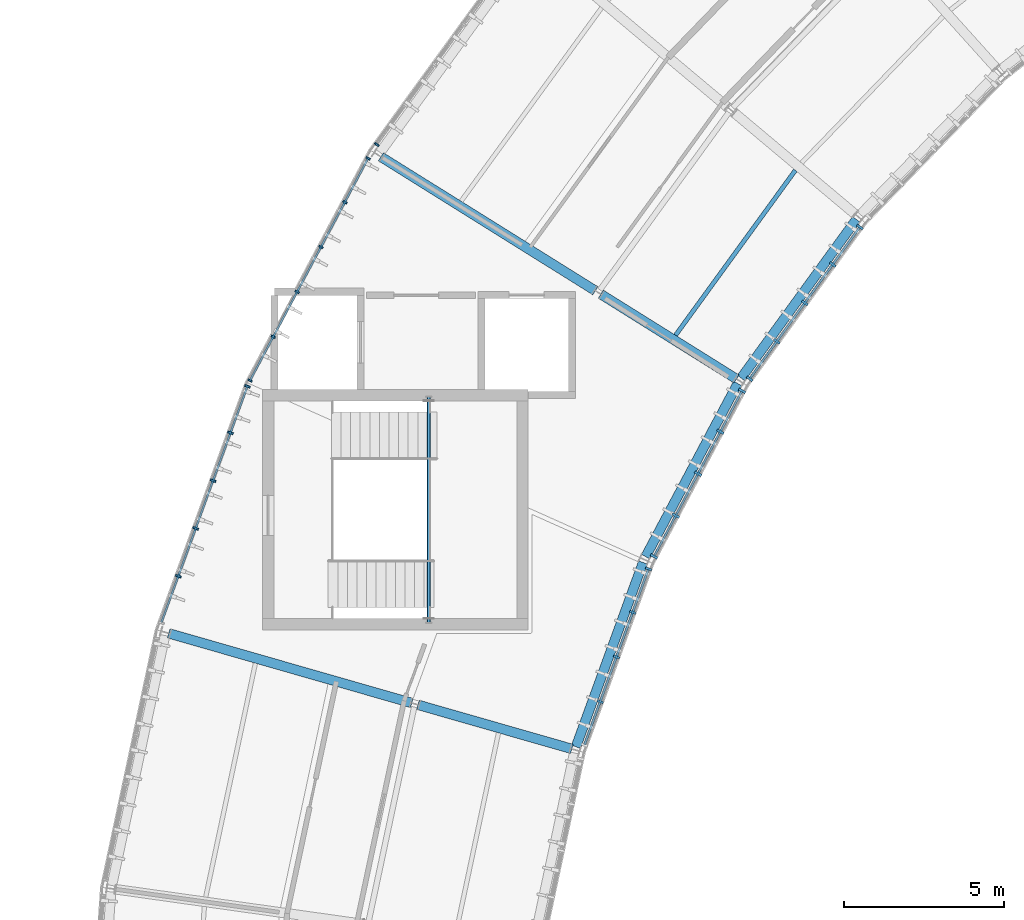
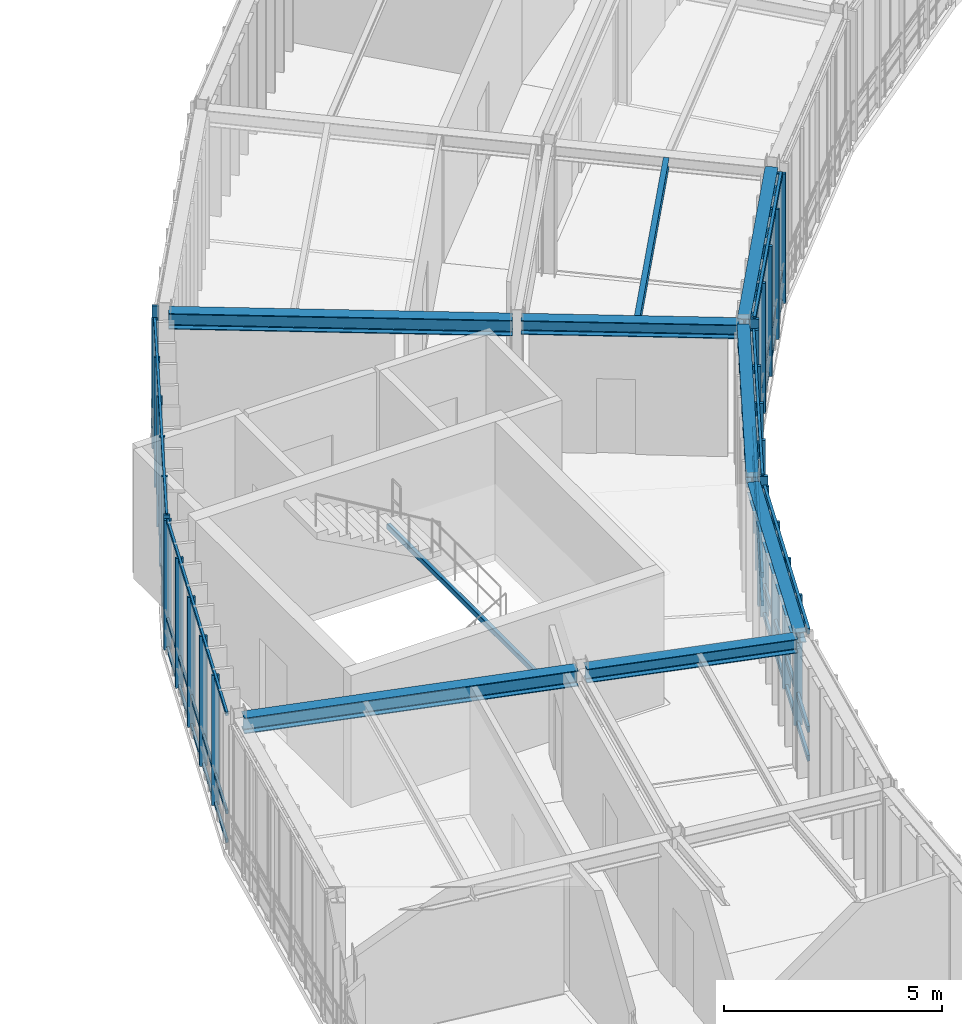
# One storey, part 11 of 42: 42 members, 8 beams, 6 elements without a shape of their own.
"""IFC4 building model written with IfcOpenShell, lengths in metres."""

import ifcopenshell
import ifcopenshell.guid

model = None  # the IFC model being written
_history = None  # IfcOwnerHistory: only IFC2X3 demands one
_inside = {}  # id of a spatial element -> (the spatial element, [elements in it])
_under = {}  # id of a project, library or spatial element -> (it, [spatial elements below it])
_declared = {}  # id of a project -> (the project, [libraries it declares])
_typed = {}  # id of a type object -> (the type object, [elements of that type])
_made_of = {}  # id of a material, layer set ... -> (it, [elements and type objects made of it])


def new_model(schema):
    """Start an empty IFC model of exactly this schema.

    Asked for "IFC4X3", IfcOpenShell would pick the latest addendum, in which some entities
    have other attributes; the version numbers below select the first issue.
    IFC2X3 requires an IfcOwnerHistory on every rooted entity: one is made here for all.
    """
    global model, _history
    if schema == "IFC4X3":
        model = ifcopenshell.file(schema_version=(4, 3, 0, 0))
    else:
        model = ifcopenshell.file(schema=schema)
    _inside.clear()
    _under.clear()
    _declared.clear()
    _typed.clear()
    _made_of.clear()
    _history = None
    if model.schema == "IFC2X3":
        org = make("IfcOrganization", Name="unknown")
        user = make(
            "IfcPersonAndOrganization",
            ThePerson=make("IfcPerson", FamilyName="unknown"),
            TheOrganization=org,
        )
        app = make(
            "IfcApplication",
            ApplicationDeveloper=org,
            Version="unknown",
            ApplicationFullName="unknown",
            ApplicationIdentifier="unknown",
        )
        _history = make(
            "IfcOwnerHistory",
            OwningUser=user,
            OwningApplication=app,
            ChangeAction="ADDED",
            CreationDate=0,
        )
    return model


def make(cls, **values):
    """One entity of the class cls with the attributes given. An attribute that is None is left unset."""
    return model.create_entity(
        cls, **{name: value for name, value in values.items() if value is not None}
    )


def rooted(cls, **values):
    """An entity with a GlobalId (a new one), such as an element, a storey or a relation."""
    return make(cls, GlobalId=ifcopenshell.guid.new(), OwnerHistory=_history, **values)


def si_unit(unit_type, name, prefix=None):
    """IfcSIUnit, for example si_unit("LENGTHUNIT", "METRE", prefix="MILLI")."""
    return make("IfcSIUnit", UnitType=unit_type, Prefix=prefix, Name=name)


def assignment(units):
    """IfcUnitAssignment: the units of a project."""
    return None if units is None else make("IfcUnitAssignment", Units=units)


def point(xyz):
    """IfcCartesianPoint."""
    return None if xyz is None else make("IfcCartesianPoint", Coordinates=xyz)


def direction(xyz):
    """IfcDirection."""
    return None if xyz is None else make("IfcDirection", DirectionRatios=xyz)


def frame(location, z_axis=None, x_axis=None):
    """IfcAxis2Placement3D, a coordinate frame: its origin and axes. An axis left out is left unset."""
    return make(
        "IfcAxis2Placement3D",
        Location=point(location),
        Axis=direction(z_axis),
        RefDirection=direction(x_axis),
    )


def frame_2d(location, x_axis=None):
    """IfcAxis2Placement2D, a coordinate frame in the plane: its origin and x axis."""
    return make(
        "IfcAxis2Placement2D", Location=point(location), RefDirection=direction(x_axis)
    )


def origin():
    """The frame at (0, 0, 0) with its axes left unset."""
    return frame((0.0, 0.0, 0.0))


def origin_2d():
    """The frame at (0, 0) in the plane with its x axis left unset."""
    return frame_2d((0.0, 0.0))


def place(relative_to, where):
    """IfcLocalPlacement: puts the frame where relative to a parent placement (None: the world)."""
    return make(
        "IfcLocalPlacement", PlacementRelTo=relative_to, RelativePlacement=where
    )


def context(
    kind, dimensions, precision=None, world=None, true_north=None, identifier=None
):
    """IfcGeometricRepresentationContext, for example the 3D "Model" context."""
    return make(
        "IfcGeometricRepresentationContext",
        ContextIdentifier=identifier,
        ContextType=kind,
        CoordinateSpaceDimension=dimensions,
        Precision=precision,
        WorldCoordinateSystem=world,
        TrueNorth=true_north,
    )


def subcontext(parent, identifier, kind, view, scale=None):
    """IfcGeometricRepresentationSubContext, for example "Body" below "Model"."""
    return make(
        "IfcGeometricRepresentationSubContext",
        ContextIdentifier=identifier,
        ContextType=kind,
        ParentContext=parent,
        TargetScale=scale,
        TargetView=view,
    )


def project(units=None, contexts=None):
    """IfcProject with its units and contexts."""
    return rooted(
        "IfcProject",
        Name="project",
        RepresentationContexts=contexts,
        UnitsInContext=assignment(units),
    )


def spatial(cls, under=None, at=None, **own):
    """A site, building, storey or space (cls), placed at a placement, below another one or the project."""
    s = rooted(cls, ObjectPlacement=at, **own)
    if under is not None:
        _under.setdefault(under.id(), (under, []))[1].append(s)
    return s


def profile(cls, at=None, kind="AREA", **sizes):
    """A parametric profile (cls). Its sizes go by their IFC names, for example OverallWidth=200.0."""
    return make(cls, ProfileType=kind, Position=at, **sizes)


def rectangle(**sizes):
    """IfcRectangleProfileDef."""
    return profile("IfcRectangleProfileDef", **sizes)


def hollow_rectangle(**sizes):
    """IfcRectangleHollowProfileDef."""
    return profile("IfcRectangleHollowProfileDef", **sizes)


def i_section(**sizes):
    """IfcIShapeProfileDef."""
    return profile("IfcIShapeProfileDef", **sizes)


def extrude(swept, where, along, depth):
    """IfcExtrudedAreaSolid: the profile swept, set in the frame where, extruded along a direction by depth."""
    return make(
        "IfcExtrudedAreaSolid",
        SweptArea=swept,
        Position=where,
        ExtrudedDirection=direction(along),
        Depth=depth,
    )


def shape(context_of_items, identifier, shape_type, items):
    """IfcShapeRepresentation: the items that make up one representation, for example the "Body"."""
    return make(
        "IfcShapeRepresentation",
        ContextOfItems=context_of_items,
        RepresentationIdentifier=identifier,
        RepresentationType=shape_type,
        Items=items,
    )


def material(Name=None, Category=None):
    """IfcMaterial."""
    return make("IfcMaterial", Name=Name, Category=Category)


def layer(
    of_material, thickness, ventilated=None, Name=None, Category=None, Priority=None
):
    """IfcMaterialLayer: one layer of a wall or slab, of a material (None: an air gap)."""
    return make(
        "IfcMaterialLayer",
        Material=of_material,
        LayerThickness=thickness,
        IsVentilated=ventilated,
        Name=Name,
        Category=Category,
        Priority=Priority,
    )


def layer_set(layers, Name=None):
    """IfcMaterialLayerSet."""
    return make("IfcMaterialLayerSet", MaterialLayers=layers, LayerSetName=Name)


def material_profile(
    of_material, cross_section, Name=None, Category=None, Priority=None
):
    """IfcMaterialProfile: a cross section and its material."""
    return make(
        "IfcMaterialProfile",
        Name=Name,
        Material=of_material,
        Profile=cross_section,
        Priority=Priority,
        Category=Category,
    )


def profile_set(profiles, Name=None, composite=None):
    """IfcMaterialProfileSet."""
    return make(
        "IfcMaterialProfileSet",
        Name=Name,
        MaterialProfiles=profiles,
        CompositeProfile=composite,
    )


def made_of(thing, what):
    """Note that an element or type object is made of a material, layer set ...; save() writes the relation."""
    if what is not None:
        _made_of.setdefault(what.id(), (what, []))[1].append(thing)
    return thing


def type_object(cls, material=None, **own):
    """A type object (cls), such as IfcWallType, which elements share."""
    return made_of(rooted(cls, **own), material)


def element(
    cls,
    number,
    at=None,
    inside=None,
    cuts=None,
    type_object=None,
    material=None,
    context=None,
    identifier="Body",
    shape_type=None,
    held_by="IfcProductDefinitionShape",
    body=None,
    shapes=None,
    **own,
):
    """One element of the class cls, such as IfcWall. Its Tag is "e" and its number.

    at: its placement. inside: the storey or other place that contains it. cuts: it is an
    opening in that element (IfcRelVoidsElement). A single representation is given by context,
    identifier, shape_type and body (its items); several are given by shapes. held_by: the class
    of the entity that holds the representations. save() writes the other relations.
    """
    e = rooted(cls, Tag="e%d" % number, ObjectPlacement=at, **own)
    if body is not None:
        shapes = [shape(context, identifier, shape_type, body)]
    if shapes is not None:
        e.Representation = make(held_by, Representations=shapes)
    if inside is not None:
        _inside.setdefault(inside.id(), (inside, []))[1].append(e)
    if cuts is not None:
        rooted(
            "IfcRelVoidsElement", RelatingBuildingElement=cuts, RelatedOpeningElement=e
        )
    if type_object is not None:
        _typed.setdefault(type_object.id(), (type_object, []))[1].append(e)
    return made_of(e, material)


def aggregate(whole, parts):
    """IfcRelAggregates: a whole, such as a stair, and the parts it consists of."""
    return rooted("IfcRelAggregates", RelatingObject=whole, RelatedObjects=parts)


def save(model, path):
    """Write the relations noted so far, then the file.

    IfcRelAggregates (storeys below a building ...), IfcRelContainedInSpatialStructure (elements
    in a storey), IfcRelDefinesByType, IfcRelAssociatesMaterial and IfcRelDeclares: one each for
    every whole, place, type object, material and project.
    """
    for whole, parts in _under.values():
        aggregate(whole, parts)
    for where, things in _inside.values():
        rooted(
            "IfcRelContainedInSpatialStructure",
            RelatedElements=things,
            RelatingStructure=where,
        )
    for kind, things in _typed.values():
        rooted("IfcRelDefinesByType", RelatedObjects=things, RelatingType=kind)
    for what, things in _made_of.values():
        rooted("IfcRelAssociatesMaterial", RelatedObjects=things, RelatingMaterial=what)
    for by, libraries in _declared.values():
        rooted("IfcRelDeclares", RelatingContext=by, RelatedDefinitions=libraries)
    model.write(path)


model = new_model("IFC4")

# Units and contexts
model_context = context("Model", 3, precision=1e-05, world=origin(), true_north=direction((0.0, 1.0)))
body_context = subcontext(model_context, "Body", "Model", "MODEL_VIEW")
ifc_project = project(units=[si_unit("LENGTHUNIT", "METRE"), si_unit("AREAUNIT", "SQUARE_METRE"), si_unit("VOLUMEUNIT", "CUBIC_METRE"), si_unit("PLANEANGLEUNIT", "RADIAN"), si_unit("MASSUNIT", "GRAM", prefix="KILO"), si_unit("THERMODYNAMICTEMPERATUREUNIT", "KELVIN"), si_unit("POWERUNIT", "WATT")], contexts=[model_context])

# Site, building, storey
site_placement = place(None, origin())
site = spatial("IfcSite", under=ifc_project, at=site_placement, CompositionType="ELEMENT")
building_placement = place(site_placement, origin())
building = spatial("IfcBuilding", under=site, at=building_placement, Name="Solvatero Civic Police Headquarters", CompositionType="ELEMENT")
storey_placement = place(building_placement, frame((0.0, 0.0, 21.60009765625)))
storey = spatial("IfcBuildingStorey", under=building, at=storey_placement, Name="L05", CompositionType="ELEMENT", Elevation=21.60009765625)

# Beams
ifc_material_1 = material(Name="Steel S355", Category="steel")
ifc_material_profile_1 = material_profile(ifc_material_1, i_section(OverallWidth=0.300048828125, OverallDepth=0.2900390625, WebThickness=0.008544921875, FlangeThickness=0.013916015625, FilletRadius=0.027099609375, at=origin_2d()), Name="HEA 300")
ifc_profile_set_1 = profile_set([ifc_material_profile_1], Name="Steel S355")
beam_type_1 = type_object("IfcBeamType", Name="BM-ST-HEA300", PredefinedType="SPANDREL", material=ifc_profile_set_1)
beam_1_placement = place(storey_placement, frame((59.201171875, 55.069580078125, 3.554931640625), z_axis=(-0.587785436261, -0.809016860714, 0.0), x_axis=(0.809016860714, -0.587785436261, 0.0)))
element("IfcBeam", 1, at=beam_1_placement, inside=storey, type_object=beam_type_1, Name="Perimeter / radial spandrel beam BM-R2-L05-ARC-CIN-B08", PredefinedType="SPANDREL", context=body_context, shape_type="SweptSolid", body=[
    extrude(i_section(OverallWidth=0.300048828125, OverallDepth=0.2900390625, WebThickness=0.008544921875, FlangeThickness=0.013916015625, FilletRadius=0.027099609375, at=origin_2d()), origin(), (0.0, 0.0, 1.0), 6.126953125),
])
beam_2_placement = place(storey_placement, frame((55.494140625, 49.943603515625, 3.554931640625), z_axis=(-0.469466925059, -0.882950058766, 0.0), x_axis=(0.882950058766, -0.469466925059, 0.0)))
element("IfcBeam", 2, at=beam_2_placement, inside=storey, type_object=beam_type_1, Name="Perimeter / radial spandrel beam BM-R2-L05-ARC-CIN-B09", PredefinedType="SPANDREL", context=body_context, shape_type="SweptSolid", body=[
    extrude(i_section(OverallWidth=0.300048828125, OverallDepth=0.2900390625, WebThickness=0.008544921875, FlangeThickness=0.013916015625, FilletRadius=0.027099609375, at=origin_2d()), origin(), (0.0, 0.0, 1.0), 6.127197265625),
])
beam_3_placement = place(storey_placement, frame((52.53662109375, 44.3515625, 3.554931640625), z_axis=(-0.342050189855, -0.939681684199, 0.0), x_axis=(0.939681684199, -0.342050189855, 0.0)))
element("IfcBeam", 3, at=beam_3_placement, inside=storey, type_object=beam_type_1, Name="Perimeter / radial spandrel beam BM-R2-L05-ARC-CIN-B10", PredefinedType="SPANDREL", context=body_context, shape_type="SweptSolid", body=[
    extrude(i_section(OverallWidth=0.300048828125, OverallDepth=0.2900390625, WebThickness=0.008544921875, FlangeThickness=0.013916015625, FilletRadius=0.027099609375, at=origin_2d()), origin(), (0.0, 0.0, 1.0), 6.126953125),
])
ifc_material_profile_2 = material_profile(ifc_material_1, i_section(OverallWidth=0.300048828125, OverallDepth=0.389892578125, WebThickness=0.010986328125, FlangeThickness=0.01904296875, FilletRadius=0.027099609375, at=origin_2d()), Name="HEA 400")
ifc_profile_set_2 = profile_set([ifc_material_profile_2], Name="Steel S355")
beam_type_2 = type_object("IfcBeamType", Name="BM-ST-HEA400", PredefinedType="BEAM", material=ifc_profile_set_2)
for number, where, z_axis, x_axis, name in (
    (4, (55.456298828125, 50.084716796875, 3.5048828125), (-0.848042191304, 0.529928713855, 0.0), (-0.529928713855, -0.848042191304, 0.0), "Primary girder BM-R2-L05-ARC-RAD1-S08"),
    (5, (50.310791015625, 38.52783203125, 3.5048828125), (-0.961263719424, 0.275630298987, 0.0), (-0.275630298987, -0.961263719424, 0.0), "Primary girder BM-R2-L05-ARC-RAD1-S10"),
):
    element("IfcBeam", number, at=place(storey_placement, frame(where, z_axis=z_axis, x_axis=x_axis)), inside=storey, type_object=beam_type_2, Name=name, PredefinedType="BEAM", context=body_context, shape_type="SweptSolid", body=[
        extrude(i_section(OverallWidth=0.300048828125, OverallDepth=0.389892578125, WebThickness=0.010986328125, FlangeThickness=0.01904296875, FilletRadius=0.027099609375, at=origin_2d()), origin(), (0.0, 0.0, 1.0), 5.0),
    ])
ifc_material_profile_3 = material_profile(ifc_material_1, i_section(OverallWidth=0.300048828125, OverallDepth=0.43994140625, WebThickness=0.011474609375, FlangeThickness=0.02099609375, FilletRadius=0.027099609375, at=origin_2d()), Name="HEA 450")
ifc_profile_set_3 = profile_set([ifc_material_profile_3], Name="Steel S355")
beam_type_3 = type_object("IfcBeamType", Name="BM-ST-HEA450", PredefinedType="BEAM", material=ifc_profile_set_3)
beam_4_placement = place(storey_placement, frame((51.04638671875, 52.84033203125, 3.47998046875), z_axis=(-0.848043440319, 0.529926715057, 0.0), x_axis=(-0.529926715057, -0.848043440319, 0.0)))
element("IfcBeam", 6, at=beam_4_placement, inside=storey, type_object=beam_type_3, Name="Primary girder BM-R2-L05-ARC-RAD2-S08", PredefinedType="BEAM", context=body_context, shape_type="SweptSolid", body=[
    extrude(i_section(OverallWidth=0.300048828125, OverallDepth=0.43994140625, WebThickness=0.011474609375, FlangeThickness=0.02099609375, FilletRadius=0.027099609375, at=origin_2d()), origin(), (0.0, 0.0, 1.0), 7.900146484375),
])
beam_5_placement = place(storey_placement, frame((45.31201171875, 39.961181640625, 3.47998046875), z_axis=(-0.961271645974, 0.275602653554, 0.0), x_axis=(-0.275602653554, -0.961271645974, 0.0)))
element("IfcBeam", 7, at=beam_5_placement, inside=storey, type_object=beam_type_3, Name="Primary girder BM-R2-L05-ARC-RAD2-S10", PredefinedType="BEAM", context=body_context, shape_type="SweptSolid", body=[
    extrude(i_section(OverallWidth=0.300048828125, OverallDepth=0.43994140625, WebThickness=0.011474609375, FlangeThickness=0.02099609375, FilletRadius=0.027099609375, at=origin_2d()), origin(), (0.0, 0.0, 1.0), 7.89990234375),
])
ifc_material_profile_4 = material_profile(ifc_material_1, i_section(OverallWidth=0.135009765625, OverallDepth=0.27001953125, WebThickness=0.006591796875, FlangeThickness=0.01025390625, FilletRadius=0.014892578125, at=origin_2d()), Name="IPE 270")
ifc_profile_set_4 = profile_set([ifc_material_profile_4], Name="Steel S355")
beam_type_4 = type_object("IfcBeamType", Name="BM-ST-IPE270", PredefinedType="BEAM", material=ifc_profile_set_4)
beam_6_placement = place(storey_placement, frame((57.294921875, 56.603759765625, 3.56494140625), z_axis=(-0.587786418719, -0.809016146915, 0.0), x_axis=(0.809016146915, -0.587786418719, 0.0)))
element("IfcBeam", 8, at=beam_6_placement, inside=storey, type_object=beam_type_4, Name="Composite floor beam BM-R2-L05-ARC-CS1-B08", PredefinedType="BEAM", context=body_context, shape_type="SweptSolid", body=[
    extrude(i_section(OverallWidth=0.135009765625, OverallDepth=0.27001953125, WebThickness=0.006591796875, FlangeThickness=0.01025390625, FilletRadius=0.014892578125, at=origin_2d()), origin(), (0.0, 0.0, 1.0), 6.36865234375),
])

# Curtain wall, members
ifc_material_2 = material(Name="Anodized Bronze Aluminium", Category="aluminium")
ifc_layer_1 = layer(ifc_material_2, 0.179931640625)
ifc_layer_set_1 = layer_set([ifc_layer_1], Name="Anodized Bronze Aluminium")
curtain_wall_type_1 = type_object("IfcCurtainWallType", Name="CW-ARC-IN", PredefinedType="USERDEFINED", material=ifc_layer_set_1)
curtain_wall_1_placement = place(storey_placement, origin())
curtain_wall_1 = element("IfcCurtainWall", 9, at=curtain_wall_1_placement, inside=storey, type_object=curtain_wall_type_1, Name="Curtain Wall CW-R2-L05-ARC-IN-B09", ObjectType="UNITISED", PredefinedType="USERDEFINED")
ifc_material_profile_5 = material_profile(ifc_material_2, rectangle(XDim=0.080078125, YDim=0.239990234375, at=origin_2d()), Name="ALU MULLION 80x240")
ifc_profile_set_5 = profile_set([ifc_material_profile_5], Name="Anodized Bronze Aluminium")
member_type_1 = type_object("IfcMemberType", Name="CWM-140x60", PredefinedType="MULLION", material=ifc_profile_set_5)
member_1_placement = place(storey_placement, frame((55.630859375, 49.712158203125, 0.0), z_axis=(0.0, 0.0, 1.0), x_axis=(-0.469486973057, -0.8829393989, 0.0)))
member_1 = element("IfcMember", 10, at=member_1_placement, type_object=member_type_1, Name="CW-R2-L05-ARC-IN-B09 Mullion 1", PredefinedType="MULLION", context=body_context, shape_type="SweptSolid", body=[
    extrude(rectangle(XDim=0.080078125, YDim=0.239990234375, at=origin_2d()), origin(), (0.0, 0.0, 1.0), 3.639892578125),
])
member_2_placement = place(storey_placement, frame((54.952880859375, 48.43701171875, 0.0), z_axis=(0.0, 0.0, 1.0), x_axis=(-0.469486973057, -0.8829393989, 0.0)))
member_2 = element("IfcMember", 11, at=member_2_placement, type_object=member_type_1, Name="CW-R2-L05-ARC-IN-B09 Mullion 2", PredefinedType="MULLION", context=body_context, shape_type="SweptSolid", body=[
    extrude(rectangle(XDim=0.080078125, YDim=0.239990234375, at=origin_2d()), origin(), (0.0, 0.0, 1.0), 3.639892578125),
])
member_3_placement = place(storey_placement, frame((54.256103515625, 47.12646484375, 0.0), z_axis=(0.0, 0.0, 1.0), x_axis=(-0.469486973057, -0.8829393989, 0.0)))
member_3 = element("IfcMember", 12, at=member_3_placement, type_object=member_type_1, Name="CW-R2-L05-ARC-IN-B09 Mullion 3", PredefinedType="MULLION", context=body_context, shape_type="SweptSolid", body=[
    extrude(rectangle(XDim=0.080078125, YDim=0.239990234375, at=origin_2d()), origin(), (0.0, 0.0, 1.0), 3.639892578125),
])
member_4_placement = place(storey_placement, frame((53.55908203125, 45.81591796875, 0.0), z_axis=(0.0, 0.0, 1.0), x_axis=(-0.469486973057, -0.8829393989, 0.0)))
member_4 = element("IfcMember", 13, at=member_4_placement, type_object=member_type_1, Name="CW-R2-L05-ARC-IN-B09 Mullion 4", PredefinedType="MULLION", context=body_context, shape_type="SweptSolid", body=[
    extrude(rectangle(XDim=0.080078125, YDim=0.239990234375, at=origin_2d()), origin(), (0.0, 0.0, 1.0), 3.639892578125),
])
member_5_placement = place(storey_placement, frame((52.881103515625, 44.540771484375, 0.0), z_axis=(0.0, 0.0, 1.0), x_axis=(-0.469486973057, -0.8829393989, 0.0)))
member_5 = element("IfcMember", 14, at=member_5_placement, type_object=member_type_1, Name="CW-R2-L05-ARC-IN-B09 Mullion 5", PredefinedType="MULLION", context=body_context, shape_type="SweptSolid", body=[
    extrude(rectangle(XDim=0.080078125, YDim=0.239990234375, at=origin_2d()), origin(), (0.0, 0.0, 1.0), 3.639892578125),
])

ifc_layer_2 = layer(ifc_material_2, 0.179931640625)
ifc_layer_set_2 = layer_set([ifc_layer_2], Name="Anodized Bronze Aluminium")
curtain_wall_type_2 = type_object("IfcCurtainWallType", Name="CW-ARC-OUT", PredefinedType="USERDEFINED", material=ifc_layer_set_2)
curtain_wall_2_placement = place(storey_placement, origin())
curtain_wall_2 = element("IfcCurtainWall", 15, at=curtain_wall_2_placement, inside=storey, type_object=curtain_wall_type_2, Name="Curtain Wall CW-R2-L05-ARC-OUT-B09", ObjectType="UNITISED", PredefinedType="USERDEFINED")
ifc_material_profile_6 = material_profile(ifc_material_2, rectangle(XDim=0.06005859375, YDim=0.139892578125, at=origin_2d()), Name="ALU MULLION 60x140")
ifc_profile_set_6 = profile_set([ifc_material_profile_6], Name="Anodized Bronze Aluminium")
member_type_2 = type_object("IfcMemberType", Name="CWM-160x65", PredefinedType="MULLION", material=ifc_profile_set_6)
member_6_placement = place(storey_placement, frame((43.94677734375, 56.9755859375, 0.0), z_axis=(0.0, 0.0, 1.0), x_axis=(-0.469471562786, -0.882947592859, 0.0)))
member_6 = element("IfcMember", 16, at=member_6_placement, type_object=member_type_2, Name="CW-R2-L05-ARC-OUT-B09 Mullion 1", PredefinedType="MULLION", context=body_context, shape_type="SweptSolid", body=[
    extrude(rectangle(XDim=0.06005859375, YDim=0.139892578125, at=origin_2d()), origin(), (0.0, 0.0, 1.0), 3.639892578125),
])
member_7_placement = place(storey_placement, frame((43.22021484375, 55.609130859375, 0.0), z_axis=(0.0, 0.0, 1.0), x_axis=(-0.469471562786, -0.882947592859, 0.0)))
member_7 = element("IfcMember", 17, at=member_7_placement, type_object=member_type_2, Name="CW-R2-L05-ARC-OUT-B09 Mullion 2", PredefinedType="MULLION", context=body_context, shape_type="SweptSolid", body=[
    extrude(rectangle(XDim=0.06005859375, YDim=0.139892578125, at=origin_2d()), origin(), (0.0, 0.0, 1.0), 3.639892578125),
])
member_8_placement = place(storey_placement, frame((42.474609375, 54.207275390625, 0.0), z_axis=(0.0, 0.0, 1.0), x_axis=(-0.469471562786, -0.882947592859, 0.0)))
member_8 = element("IfcMember", 18, at=member_8_placement, type_object=member_type_2, Name="CW-R2-L05-ARC-OUT-B09 Mullion 3", PredefinedType="MULLION", context=body_context, shape_type="SweptSolid", body=[
    extrude(rectangle(XDim=0.06005859375, YDim=0.139892578125, at=origin_2d()), origin(), (0.0, 0.0, 1.0), 3.639892578125),
])
member_9_placement = place(storey_placement, frame((41.729248046875, 52.805419921875, 0.0), z_axis=(0.0, 0.0, 1.0), x_axis=(-0.469471562786, -0.882947592859, 0.0)))
member_9 = element("IfcMember", 19, at=member_9_placement, type_object=member_type_2, Name="CW-R2-L05-ARC-OUT-B09 Mullion 4", PredefinedType="MULLION", context=body_context, shape_type="SweptSolid", body=[
    extrude(rectangle(XDim=0.06005859375, YDim=0.139892578125, at=origin_2d()), origin(), (0.0, 0.0, 1.0), 3.639892578125),
])
member_10_placement = place(storey_placement, frame((40.98388671875, 51.403564453125, 0.0), z_axis=(0.0, 0.0, 1.0), x_axis=(-0.469471562786, -0.882947592859, 0.0)))
member_10 = element("IfcMember", 20, at=member_10_placement, type_object=member_type_2, Name="CW-R2-L05-ARC-OUT-B09 Mullion 5", PredefinedType="MULLION", context=body_context, shape_type="SweptSolid", body=[
    extrude(rectangle(XDim=0.06005859375, YDim=0.139892578125, at=origin_2d()), origin(), (0.0, 0.0, 1.0), 3.639892578125),
])
member_11_placement = place(storey_placement, frame((40.25732421875, 50.037109375, 0.0), z_axis=(0.0, 0.0, 1.0), x_axis=(-0.469471562786, -0.882947592859, 0.0)))
member_11 = element("IfcMember", 21, at=member_11_placement, type_object=member_type_2, Name="CW-R2-L05-ARC-OUT-B09 Mullion 6", PredefinedType="MULLION", context=body_context, shape_type="SweptSolid", body=[
    extrude(rectangle(XDim=0.06005859375, YDim=0.139892578125, at=origin_2d()), origin(), (0.0, 0.0, 1.0), 3.639892578125),
])

# Curtain wall, member
curtain_wall_3_placement = place(storey_placement, origin())
curtain_wall_3 = element("IfcCurtainWall", 22, at=curtain_wall_3_placement, inside=storey, type_object=curtain_wall_type_2, Name="Curtain Wall CW-R2-L05-ARC-OUT-B08", ObjectType="UNITISED", PredefinedType="USERDEFINED")
ifc_material_profile_7 = material_profile(ifc_material_2, rectangle(XDim=0.06005859375, YDim=0.159912109375, at=origin_2d()), Name="ALU MULLION 60x160")
ifc_profile_set_7 = profile_set([ifc_material_profile_7], Name="Anodized Bronze Aluminium")
member_type_3 = type_object("IfcMemberType", Name="CWM-180x70", PredefinedType="MULLION", material=ifc_profile_set_7)
member_12_placement = place(storey_placement, frame((44.21728515625, 57.40869140625, 0.0), z_axis=(0.0, 0.0, 1.0), x_axis=(-0.587785252292, -0.809016994375, 0.0)))
member_12 = element("IfcMember", 23, at=member_12_placement, type_object=member_type_3, Name="CW-R2-L05-ARC-OUT-B08 Mullion 6", PredefinedType="MULLION", context=body_context, shape_type="SweptSolid", body=[
    extrude(rectangle(XDim=0.06005859375, YDim=0.159912109375, at=origin_2d()), origin(), (0.0, 0.0, 1.0), 3.639892578125),
])
aggregate(curtain_wall_3, [member_12])

# Curtain wall, members
curtain_wall_4_placement = place(storey_placement, origin())
curtain_wall_4 = element("IfcCurtainWall", 24, at=curtain_wall_4_placement, inside=storey, type_object=curtain_wall_type_2, Name="Curtain Wall CW-R2-L05-ARC-OUT-B10", ObjectType="UNITISED", PredefinedType="USERDEFINED")
ifc_material_profile_8 = material_profile(ifc_material_2, rectangle(XDim=0.06494140625, YDim=0.179931640625, at=origin_2d()), Name="ALU MULLION 65x180")
ifc_profile_set_8 = profile_set([ifc_material_profile_8], Name="Anodized Bronze Aluminium")
member_type_4 = type_object("IfcMemberType", Name="CWM-200x75", PredefinedType="MULLION", material=ifc_profile_set_8)
member_13_placement = place(storey_placement, frame((40.17626953125, 49.854736328125, 0.0), z_axis=(0.0, 0.0, 1.0), x_axis=(-0.342020143326, -0.939692620786, 0.0)))
member_13 = element("IfcMember", 25, at=member_13_placement, type_object=member_type_4, Name="CW-R2-L05-ARC-OUT-B10 Mullion 1", PredefinedType="MULLION", context=body_context, shape_type="SweptSolid", body=[
    extrude(rectangle(XDim=0.06494140625, YDim=0.179931640625, at=origin_2d()), origin(), (0.0, 0.0, 1.0), 3.639892578125),
])
member_14_placement = place(storey_placement, frame((39.64697265625, 48.400390625, 0.0), z_axis=(0.0, 0.0, 1.0), x_axis=(-0.342020143326, -0.939692620786, 0.0)))
member_14 = element("IfcMember", 26, at=member_14_placement, type_object=member_type_4, Name="CW-R2-L05-ARC-OUT-B10 Mullion 2", PredefinedType="MULLION", context=body_context, shape_type="SweptSolid", body=[
    extrude(rectangle(XDim=0.06494140625, YDim=0.179931640625, at=origin_2d()), origin(), (0.0, 0.0, 1.0), 3.639892578125),
])
member_15_placement = place(storey_placement, frame((39.10400390625, 46.908447265625, 0.0), z_axis=(0.0, 0.0, 1.0), x_axis=(-0.342020143326, -0.939692620786, 0.0)))
member_15 = element("IfcMember", 27, at=member_15_placement, type_object=member_type_4, Name="CW-R2-L05-ARC-OUT-B10 Mullion 3", PredefinedType="MULLION", context=body_context, shape_type="SweptSolid", body=[
    extrude(rectangle(XDim=0.06494140625, YDim=0.179931640625, at=origin_2d()), origin(), (0.0, 0.0, 1.0), 3.639892578125),
])
member_16_placement = place(storey_placement, frame((38.560791015625, 45.41650390625, 0.0), z_axis=(0.0, 0.0, 1.0), x_axis=(-0.342020143326, -0.939692620786, 0.0)))
member_16 = element("IfcMember", 28, at=member_16_placement, type_object=member_type_4, Name="CW-R2-L05-ARC-OUT-B10 Mullion 4", PredefinedType="MULLION", context=body_context, shape_type="SweptSolid", body=[
    extrude(rectangle(XDim=0.06494140625, YDim=0.179931640625, at=origin_2d()), origin(), (0.0, 0.0, 1.0), 3.639892578125),
])
member_17_placement = place(storey_placement, frame((38.017822265625, 43.924560546875, 0.0), z_axis=(0.0, 0.0, 1.0), x_axis=(-0.342020143326, -0.939692620786, 0.0)))
member_17 = element("IfcMember", 29, at=member_17_placement, type_object=member_type_4, Name="CW-R2-L05-ARC-OUT-B10 Mullion 5", PredefinedType="MULLION", context=body_context, shape_type="SweptSolid", body=[
    extrude(rectangle(XDim=0.06494140625, YDim=0.179931640625, at=origin_2d()), origin(), (0.0, 0.0, 1.0), 3.639892578125),
])

curtain_wall_5_placement = place(storey_placement, origin())
curtain_wall_5 = element("IfcCurtainWall", 30, at=curtain_wall_5_placement, inside=storey, type_object=curtain_wall_type_1, Name="Curtain Wall CW-R2-L05-ARC-IN-B10", ObjectType="UNITISED", PredefinedType="USERDEFINED")
ifc_material_profile_9 = material_profile(ifc_material_2, rectangle(XDim=0.070068359375, YDim=0.199951171875, at=origin_2d()), Name="ALU MULLION 70x200")
ifc_profile_set_9 = profile_set([ifc_material_profile_9], Name="Anodized Bronze Aluminium")
member_type_5 = type_object("IfcMemberType", Name="CWM-220x80", PredefinedType="MULLION", material=ifc_profile_set_9)
member_18_placement = place(storey_placement, frame((52.70751953125, 44.15087890625, 0.0), z_axis=(0.0, 0.0, 1.0), x_axis=(-0.342020143326, -0.939692620786, 0.0)))
member_18 = element("IfcMember", 31, at=member_18_placement, type_object=member_type_5, Name="CW-R2-L05-ARC-IN-B10 Mullion 1", PredefinedType="MULLION", context=body_context, shape_type="SweptSolid", body=[
    extrude(rectangle(XDim=0.070068359375, YDim=0.199951171875, at=origin_2d()), origin(), (0.0, 0.0, 1.0), 3.639892578125),
])
member_19_placement = place(storey_placement, frame((52.213623046875, 42.793701171875, 0.0), z_axis=(0.0, 0.0, 1.0), x_axis=(-0.342020143326, -0.939692620786, 0.0)))
member_19 = element("IfcMember", 32, at=member_19_placement, type_object=member_type_5, Name="CW-R2-L05-ARC-IN-B10 Mullion 2", PredefinedType="MULLION", context=body_context, shape_type="SweptSolid", body=[
    extrude(rectangle(XDim=0.070068359375, YDim=0.199951171875, at=origin_2d()), origin(), (0.0, 0.0, 1.0), 3.639892578125),
])
member_20_placement = place(storey_placement, frame((51.7060546875, 41.399169921875, 0.0), z_axis=(0.0, 0.0, 1.0), x_axis=(-0.342020143326, -0.939692620786, 0.0)))
member_20 = element("IfcMember", 33, at=member_20_placement, type_object=member_type_5, Name="CW-R2-L05-ARC-IN-B10 Mullion 3", PredefinedType="MULLION", context=body_context, shape_type="SweptSolid", body=[
    extrude(rectangle(XDim=0.070068359375, YDim=0.199951171875, at=origin_2d()), origin(), (0.0, 0.0, 1.0), 3.639892578125),
])
member_21_placement = place(storey_placement, frame((51.198486328125, 40.00439453125, 0.0), z_axis=(0.0, 0.0, 1.0), x_axis=(-0.342020143326, -0.939692620786, 0.0)))
member_21 = element("IfcMember", 34, at=member_21_placement, type_object=member_type_5, Name="CW-R2-L05-ARC-IN-B10 Mullion 4", PredefinedType="MULLION", context=body_context, shape_type="SweptSolid", body=[
    extrude(rectangle(XDim=0.070068359375, YDim=0.199951171875, at=origin_2d()), origin(), (0.0, 0.0, 1.0), 3.639892578125),
])

curtain_wall_6_placement = place(storey_placement, origin())
curtain_wall_6 = element("IfcCurtainWall", 35, at=curtain_wall_6_placement, inside=storey, type_object=curtain_wall_type_1, Name="Curtain Wall CW-R2-L05-ARC-IN-B08", ObjectType="UNITISED", PredefinedType="USERDEFINED")
ifc_material_profile_10 = material_profile(ifc_material_2, rectangle(XDim=0.074951171875, YDim=0.219970703125, at=origin_2d()), Name="ALU MULLION 75x220")
ifc_profile_set_10 = profile_set([ifc_material_profile_10], Name="Anodized Bronze Aluminium")
member_type_6 = type_object("IfcMemberType", Name="CWM-250x85", PredefinedType="MULLION", material=ifc_profile_set_10)
member_22_placement = place(storey_placement, frame((59.310302734375, 54.829345703125, 0.0), z_axis=(0.0, 0.0, 1.0), x_axis=(-0.587785252292, -0.809016994375, 0.0)))
member_22 = element("IfcMember", 36, at=member_22_placement, type_object=member_type_6, Name="CW-R2-L05-ARC-IN-B08 Mullion 1", PredefinedType="MULLION", context=body_context, shape_type="SweptSolid", body=[
    extrude(rectangle(XDim=0.074951171875, YDim=0.219970703125, at=origin_2d()), origin(), (0.0, 0.0, 1.0), 3.639892578125),
])
member_23_placement = place(storey_placement, frame((58.46142578125, 53.660888671875, 0.0), z_axis=(0.0, 0.0, 1.0), x_axis=(-0.587785252292, -0.809016994375, 0.0)))
member_23 = element("IfcMember", 37, at=member_23_placement, type_object=member_type_6, Name="CW-R2-L05-ARC-IN-B08 Mullion 2", PredefinedType="MULLION", context=body_context, shape_type="SweptSolid", body=[
    extrude(rectangle(XDim=0.074951171875, YDim=0.219970703125, at=origin_2d()), origin(), (0.0, 0.0, 1.0), 3.639892578125),
])
member_24_placement = place(storey_placement, frame((57.589111328125, 52.460205078125, 0.0), z_axis=(0.0, 0.0, 1.0), x_axis=(-0.587785252292, -0.809016994375, 0.0)))
member_24 = element("IfcMember", 38, at=member_24_placement, type_object=member_type_6, Name="CW-R2-L05-ARC-IN-B08 Mullion 3", PredefinedType="MULLION", context=body_context, shape_type="SweptSolid", body=[
    extrude(rectangle(XDim=0.074951171875, YDim=0.219970703125, at=origin_2d()), origin(), (0.0, 0.0, 1.0), 3.639892578125),
])
member_25_placement = place(storey_placement, frame((56.716552734375, 51.259521484375, 0.0), z_axis=(0.0, 0.0, 1.0), x_axis=(-0.587785252292, -0.809016994375, 0.0)))
member_25 = element("IfcMember", 39, at=member_25_placement, type_object=member_type_6, Name="CW-R2-L05-ARC-IN-B08 Mullion 4", PredefinedType="MULLION", context=body_context, shape_type="SweptSolid", body=[
    extrude(rectangle(XDim=0.074951171875, YDim=0.219970703125, at=origin_2d()), origin(), (0.0, 0.0, 1.0), 3.639892578125),
])
member_26_placement = place(storey_placement, frame((55.86767578125, 50.09130859375, 0.0), z_axis=(0.0, 0.0, 1.0), x_axis=(-0.587785252292, -0.809016994375, 0.0)))
member_26 = element("IfcMember", 40, at=member_26_placement, type_object=member_type_6, Name="CW-R2-L05-ARC-IN-B08 Mullion 5", PredefinedType="MULLION", context=body_context, shape_type="SweptSolid", body=[
    extrude(rectangle(XDim=0.074951171875, YDim=0.219970703125, at=origin_2d()), origin(), (0.0, 0.0, 1.0), 3.639892578125),
])
ifc_material_profile_11 = material_profile(ifc_material_2, rectangle(XDim=0.070068359375, YDim=0.159912109375, at=origin_2d()), Name="ALU TRANSOM 70x160")
ifc_profile_set_11 = profile_set([ifc_material_profile_11], Name="Anodized Bronze Aluminium")
member_type_7 = type_object("IfcMemberType", Name="CWT-120x55", PredefinedType="USERDEFINED", material=ifc_profile_set_11)
member_27_placement = place(storey_placement, frame((59.304443359375, 54.8212890625, 0.039794921875), z_axis=(-0.587811012704, -0.808998277714, 0.0), x_axis=(0.808998277714, -0.587811012704, 0.0)))
member_27 = element("IfcMember", 41, at=member_27_placement, type_object=member_type_7, Name="CW-R2-L05-ARC-IN-B08 Transom 1", ObjectType="TRANSOM", PredefinedType="USERDEFINED", context=body_context, shape_type="SweptSolid", body=[
    extrude(rectangle(XDim=0.070068359375, YDim=0.159912109375, at=origin_2d()), origin(), (0.0, 0.0, 1.0), 5.836669921875),
])
member_28_placement = place(storey_placement, frame((59.304443359375, 54.8212890625, 0.849853515625), z_axis=(-0.587811012704, -0.808998277714, 0.0), x_axis=(0.808998277714, -0.587811012704, 0.0)))
member_28 = element("IfcMember", 42, at=member_28_placement, type_object=member_type_7, Name="CW-R2-L05-ARC-IN-B08 Transom 2", ObjectType="TRANSOM", PredefinedType="USERDEFINED", context=body_context, shape_type="SweptSolid", body=[
    extrude(rectangle(XDim=0.070068359375, YDim=0.159912109375, at=origin_2d()), origin(), (0.0, 0.0, 1.0), 5.836669921875),
])
member_29_placement = place(storey_placement, frame((59.304443359375, 54.8212890625, 3.599853515625), z_axis=(-0.587811012704, -0.808998277714, 0.0), x_axis=(0.808998277714, -0.587811012704, 0.0)))
member_29 = element("IfcMember", 43, at=member_29_placement, type_object=member_type_7, Name="CW-R2-L05-ARC-IN-B08 Transom 3", ObjectType="TRANSOM", PredefinedType="USERDEFINED", context=body_context, shape_type="SweptSolid", body=[
    extrude(rectangle(XDim=0.070068359375, YDim=0.159912109375, at=origin_2d()), origin(), (0.0, 0.0, 1.0), 5.836669921875),
])
aggregate(curtain_wall_6, [member_22, member_23, member_24, member_25, member_26, member_27, member_28, member_29])

# Member
member_30_placement = place(storey_placement, frame((52.7041015625, 44.1416015625, 0.039794921875), z_axis=(-0.341984859745, -0.939705462209, 0.0), x_axis=(0.939705462209, -0.341984859745, 0.0)))
member_30 = element("IfcMember", 44, at=member_30_placement, type_object=member_type_7, Name="CW-R2-L05-ARC-IN-B10 Transom 1", ObjectType="TRANSOM", PredefinedType="USERDEFINED", context=body_context, shape_type="SweptSolid", body=[
    extrude(rectangle(XDim=0.070068359375, YDim=0.159912109375, at=origin_2d()), origin(), (0.0, 0.0, 1.0), 5.836669921875),
])

member_31_placement = place(storey_placement, frame((52.7041015625, 44.1416015625, 0.849853515625), z_axis=(-0.341984859745, -0.939705462209, 0.0), x_axis=(0.939705462209, -0.341984859745, 0.0)))
member_31 = element("IfcMember", 45, at=member_31_placement, type_object=member_type_7, Name="CW-R2-L05-ARC-IN-B10 Transom 2", ObjectType="TRANSOM", PredefinedType="USERDEFINED", context=body_context, shape_type="SweptSolid", body=[
    extrude(rectangle(XDim=0.070068359375, YDim=0.159912109375, at=origin_2d()), origin(), (0.0, 0.0, 1.0), 5.836669921875),
])

member_32_placement = place(storey_placement, frame((52.7041015625, 44.1416015625, 3.599853515625), z_axis=(-0.341984859745, -0.939705462209, 0.0), x_axis=(0.939705462209, -0.341984859745, 0.0)))
member_32 = element("IfcMember", 46, at=member_32_placement, type_object=member_type_7, Name="CW-R2-L05-ARC-IN-B10 Transom 3", ObjectType="TRANSOM", PredefinedType="USERDEFINED", context=body_context, shape_type="SweptSolid", body=[
    extrude(rectangle(XDim=0.070068359375, YDim=0.159912109375, at=origin_2d()), origin(), (0.0, 0.0, 1.0), 5.836669921875),
])

aggregate(curtain_wall_5, [member_18, member_19, member_20, member_21, member_30, member_31, member_32])

ifc_material_profile_12 = material_profile(ifc_material_2, rectangle(XDim=0.06005859375, YDim=0.110107421875, at=origin_2d()), Name="ALU TRANSOM 60x110")
ifc_profile_set_12 = profile_set([ifc_material_profile_12], Name="Anodized Bronze Aluminium")
member_type_8 = type_object("IfcMemberType", Name="CWT-140x60", PredefinedType="USERDEFINED", material=ifc_profile_set_12)
member_33_placement = place(storey_placement, frame((40.1728515625, 49.84521484375, 0.039794921875), z_axis=(-0.342020639267, -0.939692440278, 0.0), x_axis=(0.939692440278, -0.342020639267, 0.0)))
member_33 = element("IfcMember", 47, at=member_33_placement, type_object=member_type_8, Name="CW-R2-L05-ARC-OUT-B10 Transom 1", ObjectType="TRANSOM", PredefinedType="USERDEFINED", context=body_context, shape_type="SweptSolid", body=[
    extrude(rectangle(XDim=0.06005859375, YDim=0.110107421875, at=origin_2d()), origin(), (0.0, 0.0, 1.0), 7.83837890625),
])

member_34_placement = place(storey_placement, frame((40.1728515625, 49.84521484375, 0.849853515625), z_axis=(-0.342020639267, -0.939692440278, 0.0), x_axis=(0.939692440278, -0.342020639267, 0.0)))
member_34 = element("IfcMember", 48, at=member_34_placement, type_object=member_type_8, Name="CW-R2-L05-ARC-OUT-B10 Transom 2", ObjectType="TRANSOM", PredefinedType="USERDEFINED", context=body_context, shape_type="SweptSolid", body=[
    extrude(rectangle(XDim=0.06005859375, YDim=0.110107421875, at=origin_2d()), origin(), (0.0, 0.0, 1.0), 7.83837890625),
])

member_35_placement = place(storey_placement, frame((40.1728515625, 49.84521484375, 3.599853515625), z_axis=(-0.342020639267, -0.939692440278, 0.0), x_axis=(0.939692440278, -0.342020639267, 0.0)))
member_35 = element("IfcMember", 49, at=member_35_placement, type_object=member_type_8, Name="CW-R2-L05-ARC-OUT-B10 Transom 3", ObjectType="TRANSOM", PredefinedType="USERDEFINED", context=body_context, shape_type="SweptSolid", body=[
    extrude(rectangle(XDim=0.06005859375, YDim=0.110107421875, at=origin_2d()), origin(), (0.0, 0.0, 1.0), 7.83837890625),
])

aggregate(curtain_wall_4, [member_13, member_14, member_15, member_16, member_17, member_33, member_34, member_35])

ifc_material_profile_13 = material_profile(ifc_material_2, rectangle(XDim=0.06005859375, YDim=0.125, at=origin_2d()), Name="ALU TRANSOM 60x125")
ifc_profile_set_13 = profile_set([ifc_material_profile_13], Name="Anodized Bronze Aluminium")
member_type_9 = type_object("IfcMemberType", Name="CWT-160x65", PredefinedType="USERDEFINED", material=ifc_profile_set_13)
member_36_placement = place(storey_placement, frame((43.94189453125, 56.966796875, 0.039794921875), z_axis=(-0.469449733702, -0.882959199243, 0.0), x_axis=(0.882959199243, -0.469449733702, 0.0)))
member_36 = element("IfcMember", 50, at=member_36_placement, type_object=member_type_9, Name="CW-R2-L05-ARC-OUT-B09 Transom 1", ObjectType="TRANSOM", PredefinedType="USERDEFINED", context=body_context, shape_type="SweptSolid", body=[
    extrude(rectangle(XDim=0.06005859375, YDim=0.125, at=origin_2d()), origin(), (0.0, 0.0, 1.0), 7.83837890625),
])

member_37_placement = place(storey_placement, frame((43.94189453125, 56.966796875, 0.849853515625), z_axis=(-0.469449733702, -0.882959199243, 0.0), x_axis=(0.882959199243, -0.469449733702, 0.0)))
member_37 = element("IfcMember", 51, at=member_37_placement, type_object=member_type_9, Name="CW-R2-L05-ARC-OUT-B09 Transom 2", ObjectType="TRANSOM", PredefinedType="USERDEFINED", context=body_context, shape_type="SweptSolid", body=[
    extrude(rectangle(XDim=0.06005859375, YDim=0.125, at=origin_2d()), origin(), (0.0, 0.0, 1.0), 7.83837890625),
])

member_38_placement = place(storey_placement, frame((43.94189453125, 56.966796875, 3.599853515625), z_axis=(-0.469449733702, -0.882959199243, 0.0), x_axis=(0.882959199243, -0.469449733702, 0.0)))
member_38 = element("IfcMember", 52, at=member_38_placement, type_object=member_type_9, Name="CW-R2-L05-ARC-OUT-B09 Transom 3", ObjectType="TRANSOM", PredefinedType="USERDEFINED", context=body_context, shape_type="SweptSolid", body=[
    extrude(rectangle(XDim=0.06005859375, YDim=0.125, at=origin_2d()), origin(), (0.0, 0.0, 1.0), 7.83837890625),
])

aggregate(curtain_wall_2, [member_6, member_7, member_8, member_9, member_10, member_11, member_36, member_37, member_38])

ifc_material_profile_14 = material_profile(ifc_material_2, rectangle(XDim=0.06494140625, YDim=0.139892578125, at=origin_2d()), Name="ALU TRANSOM 65x140")
ifc_profile_set_14 = profile_set([ifc_material_profile_14], Name="Anodized Bronze Aluminium")
member_type_10 = type_object("IfcMemberType", Name="CWT-180x70", PredefinedType="USERDEFINED", material=ifc_profile_set_14)
member_39_placement = place(storey_placement, frame((55.626220703125, 49.703369140625, 0.039794921875), z_axis=(-0.469458972837, -0.882954286938, 0.0), x_axis=(0.882954286938, -0.469458972837, 0.0)))
member_39 = element("IfcMember", 53, at=member_39_placement, type_object=member_type_10, Name="CW-R2-L05-ARC-IN-B09 Transom 1", ObjectType="TRANSOM", PredefinedType="USERDEFINED", context=body_context, shape_type="SweptSolid", body=[
    extrude(rectangle(XDim=0.06494140625, YDim=0.139892578125, at=origin_2d()), origin(), (0.0, 0.0, 1.0), 5.8369140625),
])

member_40_placement = place(storey_placement, frame((55.626220703125, 49.703369140625, 0.849853515625), z_axis=(-0.469458972837, -0.882954286938, 0.0), x_axis=(0.882954286938, -0.469458972837, 0.0)))
member_40 = element("IfcMember", 54, at=member_40_placement, type_object=member_type_10, Name="CW-R2-L05-ARC-IN-B09 Transom 2", ObjectType="TRANSOM", PredefinedType="USERDEFINED", context=body_context, shape_type="SweptSolid", body=[
    extrude(rectangle(XDim=0.06494140625, YDim=0.139892578125, at=origin_2d()), origin(), (0.0, 0.0, 1.0), 5.8369140625),
])

member_41_placement = place(storey_placement, frame((55.626220703125, 49.703369140625, 3.599853515625), z_axis=(-0.469458972837, -0.882954286938, 0.0), x_axis=(0.882954286938, -0.469458972837, 0.0)))
member_41 = element("IfcMember", 55, at=member_41_placement, type_object=member_type_10, Name="CW-R2-L05-ARC-IN-B09 Transom 3", ObjectType="TRANSOM", PredefinedType="USERDEFINED", context=body_context, shape_type="SweptSolid", body=[
    extrude(rectangle(XDim=0.06494140625, YDim=0.139892578125, at=origin_2d()), origin(), (0.0, 0.0, 1.0), 5.8369140625),
])

aggregate(curtain_wall_1, [member_1, member_2, member_3, member_4, member_5, member_39, member_40, member_41])

ifc_material_profile_15 = material_profile(ifc_material_1, hollow_rectangle(XDim=0.10009765625, YDim=0.14990234375, WallThickness=0.00634765625, InnerFilletRadius=0.00634765625, OuterFilletRadius=0.0126953125, at=origin_2d()), Name="RHS 150x100x6.3")
ifc_profile_set_15 = profile_set([ifc_material_profile_15], Name="Steel S355")
member_type_11 = type_object("IfcMemberType", Name="MB-BR-RHS150", PredefinedType="BRACE", material=ifc_profile_set_15)
member_42_placement = place(storey_placement, frame((45.840087890625, 42.47998046875, 1.6748046875), z_axis=(0.0, 1.0, 0.0), x_axis=(-1.0, 0.0, 0.0)))
element("IfcMember", 56, at=member_42_placement, inside=storey, type_object=member_type_11, Name="ST-C2 L05 Landing Support Beam", PredefinedType="BRACE", context=body_context, shape_type="SweptSolid", body=[
    extrude(hollow_rectangle(XDim=0.10009765625, YDim=0.14990234375, WallThickness=0.00634765625, InnerFilletRadius=0.00634765625, OuterFilletRadius=0.0126953125, at=origin_2d()), origin(), (0.0, 0.0, 1.0), 7.0400390625),
])

save(model, "model.ifc")
